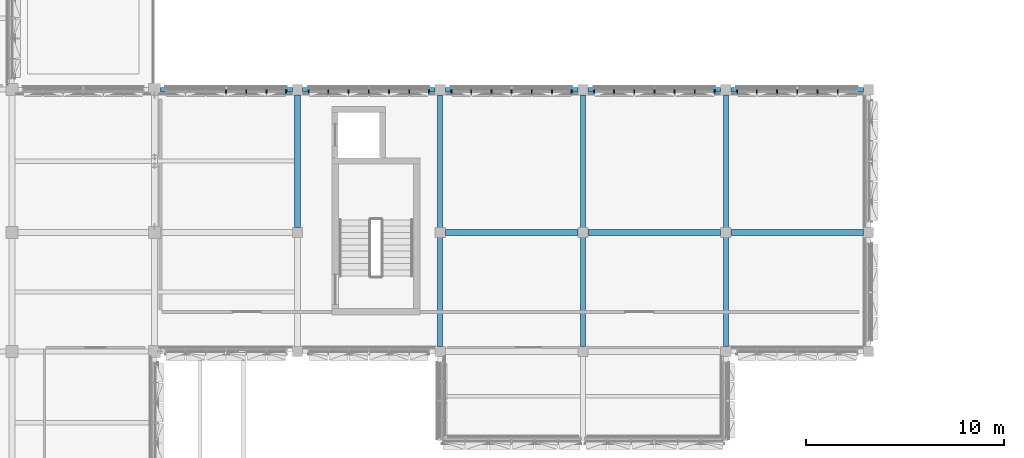
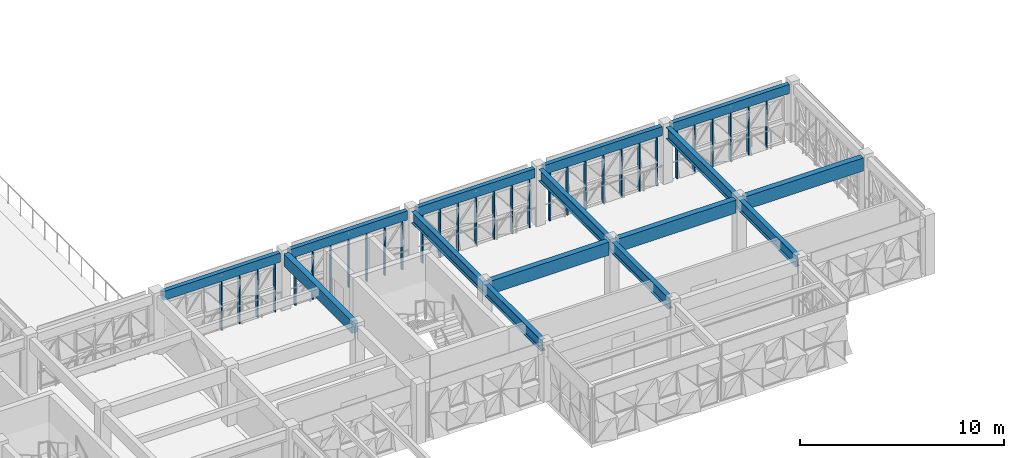
# One storey, part 10 of 99: 31 members, 12 beams, 5 elements without a shape of their own.
"""IFC4 building model written with IfcOpenShell, lengths in metres."""

from ifc_helpers import new_model, si_unit, direction, frame, origin, origin_2d, place, context, subcontext, project, spatial, rectangle, i_section, extrude, material, material_profile, profile_set, type_object, element, aggregate, save


model = new_model("IFC4")

# Units and contexts
model_context = context("Model", 3, precision=1e-05, world=origin(), true_north=direction((0.0, 1.0)))
body_context = subcontext(model_context, "Body", "Model", "MODEL_VIEW")
ifc_project = project(units=[si_unit("LENGTHUNIT", "METRE"), si_unit("AREAUNIT", "SQUARE_METRE"), si_unit("VOLUMEUNIT", "CUBIC_METRE"), si_unit("PLANEANGLEUNIT", "RADIAN"), si_unit("MASSUNIT", "GRAM", prefix="KILO")], contexts=[model_context])

# Site, building, storey
site_placement = place(None, origin())
site = spatial("IfcSite", under=ifc_project, at=site_placement, CompositionType="ELEMENT")
building_placement = place(site_placement, origin())
building = spatial("IfcBuilding", under=site, at=building_placement, Name="Alvorim Cloister Faculty of Sciences", CompositionType="ELEMENT")
storey_placement = place(building_placement, frame((0.0, 0.0, 12.14990234375)))
storey = spatial("IfcBuildingStorey", under=building, at=storey_placement, Name="L03", CompositionType="ELEMENT", Elevation=12.14990234375)

# Beams
ifc_material_1 = material(Name="Glulam GL32h", Category="wood")
ifc_material_profile_1 = material_profile(ifc_material_1, rectangle(XDim=0.300048828125, YDim=0.719970703125, at=origin_2d()), Name="GL32-BM-300x720")
ifc_profile_set_1 = profile_set([ifc_material_profile_1], Name="Glulam GL32h")
beam_type_1 = type_object("IfcBeamType", Name="BM-GL-300x720", PredefinedType="BEAM", material=ifc_profile_set_1)
beam_1_placement = place(storey_placement, frame((36.0, 49.4599609375, 3.030029296875), z_axis=(0.0, 1.0, 0.0), x_axis=(-1.0, 0.0, 0.0)))
element("IfcBeam", 1, at=beam_1_placement, inside=storey, type_object=beam_type_1, Name="L03 Primary Girder BM-1645", PredefinedType="BEAM", context=body_context, shape_type="SweptSolid", body=[
    extrude(rectangle(XDim=0.300048828125, YDim=0.719970703125, at=origin_2d()), origin(), (0.0, 0.0, 1.0), 6.679931640625),
])
ifc_material_profile_2 = material_profile(ifc_material_1, rectangle(XDim=0.320068359375, YDim=0.780029296875, at=origin_2d()), Name="GL32-BM-320x780")
ifc_profile_set_2 = profile_set([ifc_material_profile_2], Name="Glulam GL32h")
beam_type_2 = type_object("IfcBeamType", Name="BM-GL-320x780", PredefinedType="BEAM", material=ifc_profile_set_2)
beam_2_placement = place(storey_placement, frame((43.4599609375, 49.199951171875, 3.0), z_axis=(1.0, 0.0, 0.0), x_axis=(0.0, 1.0, 0.0)))
element("IfcBeam", 2, at=beam_2_placement, inside=storey, type_object=beam_type_2, Name="L03 Primary Beam BM-1544", PredefinedType="BEAM", context=body_context, shape_type="SweptSolid", body=[
    extrude(rectangle(XDim=0.320068359375, YDim=0.780029296875, at=origin_2d()), origin(), (0.0, 0.0, 1.0), 6.679931640625),
])
beam_3_placement = place(storey_placement, frame((50.659912109375, 49.199951171875, 3.0), z_axis=(1.0, 0.0, 0.0), x_axis=(0.0, 1.0, 0.0)))
element("IfcBeam", 3, at=beam_3_placement, inside=storey, type_object=beam_type_2, Name="L03 Primary Beam BM-1545", PredefinedType="BEAM", context=body_context, shape_type="SweptSolid", body=[
    extrude(rectangle(XDim=0.320068359375, YDim=0.780029296875, at=origin_2d()), origin(), (0.0, 0.0, 1.0), 6.68017578125),
])
beam_4_placement = place(storey_placement, frame((57.860107421875, 49.199951171875, 3.0), z_axis=(1.0, 0.0, 0.0), x_axis=(0.0, 1.0, 0.0)))
element("IfcBeam", 4, at=beam_4_placement, inside=storey, type_object=beam_type_2, Name="L03 Primary Beam BM-1546", PredefinedType="BEAM", context=body_context, shape_type="SweptSolid", body=[
    extrude(rectangle(XDim=0.320068359375, YDim=0.780029296875, at=origin_2d()), origin(), (0.0, 0.0, 1.0), 6.679931640625),
])
ifc_material_2 = material(Name="Glulam GL28h", Category="wood")
ifc_material_profile_3 = material_profile(ifc_material_2, rectangle(XDim=0.239990234375, YDim=0.5400390625, at=origin_2d()), Name="GL28-SPD-240x540")
ifc_profile_set_3 = profile_set([ifc_material_profile_3], Name="Glulam GL28h")
beam_type_3 = type_object("IfcBeamType", Name="BM-SPD-GL-240x540", PredefinedType="SPANDREL", material=ifc_profile_set_3)
beam_5_placement = place(storey_placement, frame((29.10009765625, 56.39990234375, 3.1201171875), z_axis=(1.0, 0.0, 0.0), x_axis=(0.0, 1.0, 0.0)))
element("IfcBeam", 5, at=beam_5_placement, inside=storey, type_object=beam_type_3, Name="L03 Primary Beam BM-1548", PredefinedType="SPANDREL", context=body_context, shape_type="SweptSolid", body=[
    extrude(rectangle(XDim=0.239990234375, YDim=0.5400390625, at=origin_2d()), origin(), (0.0, 0.0, 1.0), 6.639892578125),
])
for number, where, z_axis, x_axis, name in (
    (6, (36.260009765625, 56.39990234375, 3.1201171875), (1.0, 0.0, 0.0), (0.0, 1.0, 0.0), "L03 Primary Beam BM-1549"),
    (7, (43.4599609375, 56.39990234375, 3.1201171875), (1.0, 0.0, 0.0), (0.0, 1.0, 0.0), "L03 Primary Beam BM-1550"),
):
    element("IfcBeam", number, at=place(storey_placement, frame(where, z_axis=z_axis, x_axis=x_axis)), inside=storey, type_object=beam_type_3, Name=name, PredefinedType="SPANDREL", context=body_context, shape_type="SweptSolid", body=[
        extrude(rectangle(XDim=0.239990234375, YDim=0.5400390625, at=origin_2d()), origin(), (0.0, 0.0, 1.0), 6.679931640625),
    ])
beam_6_placement = place(storey_placement, frame((50.659912109375, 56.39990234375, 3.1201171875), z_axis=(1.0, 0.0, 0.0), x_axis=(0.0, 1.0, 0.0)))
element("IfcBeam", 8, at=beam_6_placement, inside=storey, type_object=beam_type_3, Name="L03 Primary Beam BM-1551", PredefinedType="SPANDREL", context=body_context, shape_type="SweptSolid", body=[
    extrude(rectangle(XDim=0.239990234375, YDim=0.5400390625, at=origin_2d()), origin(), (0.0, 0.0, 1.0), 6.68017578125),
])
beam_7_placement = place(storey_placement, frame((57.860107421875, 56.39990234375, 3.1201171875), z_axis=(1.0, 0.0, 0.0), x_axis=(0.0, 1.0, 0.0)))
element("IfcBeam", 9, at=beam_7_placement, inside=storey, type_object=beam_type_3, Name="L03 Primary Beam BM-1552", PredefinedType="SPANDREL", context=body_context, shape_type="SweptSolid", body=[
    extrude(rectangle(XDim=0.239990234375, YDim=0.5400390625, at=origin_2d()), origin(), (0.0, 0.0, 1.0), 6.679931640625),
])
ifc_material_3 = material(Name="Steel ASTM A572 Grade 50", Category="steel")
ifc_material_profile_4 = material_profile(ifc_material_3, i_section(OverallWidth=0.25390625, OverallDepth=0.68408203125, WebThickness=0.012451171875, FlangeThickness=0.01904296875, FilletRadius=0.01904296875, at=origin_2d()), Name="W690x140.0")
ifc_profile_set_4 = profile_set([ifc_material_profile_4], Name="Steel ASTM A572 Grade 50")
beam_type_4 = type_object("IfcBeamType", Name="BM-STL-W690", PredefinedType="BEAM", material=ifc_profile_set_4)
for number, where, z_axis, x_axis, name in (
    (10, (43.199951171875, 43.4599609375, 3.048095703125), (0.0, 1.0, 0.0), (-1.0, 0.0, 0.0), "L03 Cantilever Backspan Girder BM-0051"),
    (11, (50.39990234375, 43.4599609375, 3.048095703125), (0.0, 1.0, 0.0), (-1.0, 0.0, 0.0), "L03 Cantilever Backspan Girder BM-0053"),
    (12, (57.60009765625, 43.4599609375, 3.048095703125), (0.0, 1.0, 0.0), (-1.0, 0.0, 0.0), "L03 Cantilever Backspan Girder BM-0055"),
):
    element("IfcBeam", number, at=place(storey_placement, frame(where, z_axis=z_axis, x_axis=x_axis)), inside=storey, type_object=beam_type_4, Name=name, PredefinedType="BEAM", context=body_context, shape_type="SweptSolid", body=[
        extrude(i_section(OverallWidth=0.25390625, OverallDepth=0.68408203125, WebThickness=0.012451171875, FlangeThickness=0.01904296875, FilletRadius=0.01904296875, at=origin_2d()), origin(), (0.0, 0.0, 1.0), 12.679931640625),
    ])

# Curtain wall, members
ifc_material_4 = material(Name="Aluminium and Low-E Glass Curtain Wall", Category="aluminium")
curtain_wall_type = type_object("IfcCurtainWallType", Name="CW-TRI-6120x2850", PredefinedType="USERDEFINED", material=ifc_material_4)
curtain_wall_1_placement = place(storey_placement, origin())
curtain_wall_1 = element("IfcCurtainWall", 13, at=curtain_wall_1_placement, inside=storey, type_object=curtain_wall_type, Name="L03 Diagonal Cassette Curtain Wall CW-0125", ObjectType="UNITISED CURTAIN WALL", PredefinedType="USERDEFINED")
ifc_material_5 = material(Name="Aluminium Alloy 6063-T6", Category="aluminium")
ifc_material_profile_5 = material_profile(ifc_material_5, rectangle(XDim=0.06494140625, YDim=0.179931640625, at=origin_2d()), Name="ALU-MUL-65x180")
ifc_profile_set_5 = profile_set([ifc_material_profile_5], Name="Aluminium Alloy 6063-T6")
member_type = type_object("IfcMemberType", Name="CW-MUL-65x180", PredefinedType="MULLION", material=ifc_profile_set_5)
member_1_placement = place(storey_placement, frame((32.39990234375, 56.31005859375, 0.0), z_axis=(0.0, 0.0, 1.0), x_axis=(1.0, 0.0, 0.0)))
member_1 = element("IfcMember", 14, at=member_1_placement, type_object=member_type, Name="CW-0125 Mullion 4", PredefinedType="MULLION", context=body_context, shape_type="SweptSolid", body=[
    extrude(rectangle(XDim=0.06494140625, YDim=0.179931640625, at=origin_2d()), origin(), (0.0, 0.0, 1.0), 2.85009765625),
])
member_2_placement = place(storey_placement, frame((33.419921875, 56.31005859375, 0.0), z_axis=(0.0, 0.0, 1.0), x_axis=(1.0, 0.0, 0.0)))
member_2 = element("IfcMember", 15, at=member_2_placement, type_object=member_type, Name="CW-0125 Mullion 5", PredefinedType="MULLION", context=body_context, shape_type="SweptSolid", body=[
    extrude(rectangle(XDim=0.06494140625, YDim=0.179931640625, at=origin_2d()), origin(), (0.0, 0.0, 1.0), 2.85009765625),
])
member_3_placement = place(storey_placement, frame((34.43994140625, 56.31005859375, 0.0), z_axis=(0.0, 0.0, 1.0), x_axis=(1.0, 0.0, 0.0)))
member_3 = element("IfcMember", 16, at=member_3_placement, type_object=member_type, Name="CW-0125 Mullion 6", PredefinedType="MULLION", context=body_context, shape_type="SweptSolid", body=[
    extrude(rectangle(XDim=0.06494140625, YDim=0.179931640625, at=origin_2d()), origin(), (0.0, 0.0, 1.0), 2.85009765625),
])
member_4_placement = place(storey_placement, frame((35.427490234375, 56.31005859375, 0.0), z_axis=(0.0, 0.0, 1.0), x_axis=(1.0, 0.0, 0.0)))
member_4 = element("IfcMember", 17, at=member_4_placement, type_object=member_type, Name="CW-0125 Mullion 7", PredefinedType="MULLION", context=body_context, shape_type="SweptSolid", body=[
    extrude(rectangle(XDim=0.06494140625, YDim=0.179931640625, at=origin_2d()), origin(), (0.0, 0.0, 1.0), 2.85009765625),
])
aggregate(curtain_wall_1, [member_1, member_2, member_3, member_4])

curtain_wall_2_placement = place(storey_placement, origin())
curtain_wall_2 = element("IfcCurtainWall", 18, at=curtain_wall_2_placement, inside=storey, type_object=curtain_wall_type, Name="L03 Diagonal Cassette Curtain Wall CW-0126", ObjectType="UNITISED CURTAIN WALL", PredefinedType="USERDEFINED")
member_5_placement = place(storey_placement, frame((36.572509765625, 56.31005859375, 0.0), z_axis=(0.0, 0.0, 1.0), x_axis=(1.0, 0.0, 0.0)))
member_5 = element("IfcMember", 19, at=member_5_placement, type_object=member_type, Name="CW-0126 Mullion 1", PredefinedType="MULLION", context=body_context, shape_type="SweptSolid", body=[
    extrude(rectangle(XDim=0.06494140625, YDim=0.179931640625, at=origin_2d()), origin(), (0.0, 0.0, 1.0), 2.85009765625),
])
member_6_placement = place(storey_placement, frame((37.56005859375, 56.31005859375, 0.0), z_axis=(0.0, 0.0, 1.0), x_axis=(1.0, 0.0, 0.0)))
member_6 = element("IfcMember", 20, at=member_6_placement, type_object=member_type, Name="CW-0126 Mullion 2", PredefinedType="MULLION", context=body_context, shape_type="SweptSolid", body=[
    extrude(rectangle(XDim=0.06494140625, YDim=0.179931640625, at=origin_2d()), origin(), (0.0, 0.0, 1.0), 2.85009765625),
])
member_7_placement = place(storey_placement, frame((38.580078125, 56.31005859375, 0.0), z_axis=(0.0, 0.0, 1.0), x_axis=(1.0, 0.0, 0.0)))
member_7 = element("IfcMember", 21, at=member_7_placement, type_object=member_type, Name="CW-0126 Mullion 3", PredefinedType="MULLION", context=body_context, shape_type="SweptSolid", body=[
    extrude(rectangle(XDim=0.06494140625, YDim=0.179931640625, at=origin_2d()), origin(), (0.0, 0.0, 1.0), 2.85009765625),
])
member_8_placement = place(storey_placement, frame((39.60009765625, 56.31005859375, 0.0), z_axis=(0.0, 0.0, 1.0), x_axis=(1.0, 0.0, 0.0)))
member_8 = element("IfcMember", 22, at=member_8_placement, type_object=member_type, Name="CW-0126 Mullion 4", PredefinedType="MULLION", context=body_context, shape_type="SweptSolid", body=[
    extrude(rectangle(XDim=0.06494140625, YDim=0.179931640625, at=origin_2d()), origin(), (0.0, 0.0, 1.0), 2.85009765625),
])
member_9_placement = place(storey_placement, frame((40.6201171875, 56.31005859375, 0.0), z_axis=(0.0, 0.0, 1.0), x_axis=(1.0, 0.0, 0.0)))
member_9 = element("IfcMember", 23, at=member_9_placement, type_object=member_type, Name="CW-0126 Mullion 5", PredefinedType="MULLION", context=body_context, shape_type="SweptSolid", body=[
    extrude(rectangle(XDim=0.06494140625, YDim=0.179931640625, at=origin_2d()), origin(), (0.0, 0.0, 1.0), 2.85009765625),
])
member_10_placement = place(storey_placement, frame((41.639892578125, 56.31005859375, 0.0), z_axis=(0.0, 0.0, 1.0), x_axis=(1.0, 0.0, 0.0)))
member_10 = element("IfcMember", 24, at=member_10_placement, type_object=member_type, Name="CW-0126 Mullion 6", PredefinedType="MULLION", context=body_context, shape_type="SweptSolid", body=[
    extrude(rectangle(XDim=0.06494140625, YDim=0.179931640625, at=origin_2d()), origin(), (0.0, 0.0, 1.0), 2.85009765625),
])
member_11_placement = place(storey_placement, frame((42.62744140625, 56.31005859375, 0.0), z_axis=(0.0, 0.0, 1.0), x_axis=(1.0, 0.0, 0.0)))
member_11 = element("IfcMember", 25, at=member_11_placement, type_object=member_type, Name="CW-0126 Mullion 7", PredefinedType="MULLION", context=body_context, shape_type="SweptSolid", body=[
    extrude(rectangle(XDim=0.06494140625, YDim=0.179931640625, at=origin_2d()), origin(), (0.0, 0.0, 1.0), 2.85009765625),
])
aggregate(curtain_wall_2, [member_5, member_6, member_7, member_8, member_9, member_10, member_11])

curtain_wall_3_placement = place(storey_placement, origin())
curtain_wall_3 = element("IfcCurtainWall", 26, at=curtain_wall_3_placement, inside=storey, type_object=curtain_wall_type, Name="L03 Diagonal Cassette Curtain Wall CW-0127", ObjectType="UNITISED CURTAIN WALL", PredefinedType="USERDEFINED")
member_12_placement = place(storey_placement, frame((43.7724609375, 56.31005859375, 0.0), z_axis=(0.0, 0.0, 1.0), x_axis=(1.0, 0.0, 0.0)))
member_12 = element("IfcMember", 27, at=member_12_placement, type_object=member_type, Name="CW-0127 Mullion 1", PredefinedType="MULLION", context=body_context, shape_type="SweptSolid", body=[
    extrude(rectangle(XDim=0.06494140625, YDim=0.179931640625, at=origin_2d()), origin(), (0.0, 0.0, 1.0), 2.85009765625),
])
member_13_placement = place(storey_placement, frame((44.760009765625, 56.31005859375, 0.0), z_axis=(0.0, 0.0, 1.0), x_axis=(1.0, 0.0, 0.0)))
member_13 = element("IfcMember", 28, at=member_13_placement, type_object=member_type, Name="CW-0127 Mullion 2", PredefinedType="MULLION", context=body_context, shape_type="SweptSolid", body=[
    extrude(rectangle(XDim=0.06494140625, YDim=0.179931640625, at=origin_2d()), origin(), (0.0, 0.0, 1.0), 2.85009765625),
])
member_14_placement = place(storey_placement, frame((45.780029296875, 56.31005859375, 0.0), z_axis=(0.0, 0.0, 1.0), x_axis=(1.0, 0.0, 0.0)))
member_14 = element("IfcMember", 29, at=member_14_placement, type_object=member_type, Name="CW-0127 Mullion 3", PredefinedType="MULLION", context=body_context, shape_type="SweptSolid", body=[
    extrude(rectangle(XDim=0.06494140625, YDim=0.179931640625, at=origin_2d()), origin(), (0.0, 0.0, 1.0), 2.85009765625),
])
member_15_placement = place(storey_placement, frame((46.800048828125, 56.31005859375, 0.0), z_axis=(0.0, 0.0, 1.0), x_axis=(1.0, 0.0, 0.0)))
member_15 = element("IfcMember", 30, at=member_15_placement, type_object=member_type, Name="CW-0127 Mullion 4", PredefinedType="MULLION", context=body_context, shape_type="SweptSolid", body=[
    extrude(rectangle(XDim=0.06494140625, YDim=0.179931640625, at=origin_2d()), origin(), (0.0, 0.0, 1.0), 2.85009765625),
])
member_16_placement = place(storey_placement, frame((47.820068359375, 56.31005859375, 0.0), z_axis=(0.0, 0.0, 1.0), x_axis=(1.0, 0.0, 0.0)))
member_16 = element("IfcMember", 31, at=member_16_placement, type_object=member_type, Name="CW-0127 Mullion 5", PredefinedType="MULLION", context=body_context, shape_type="SweptSolid", body=[
    extrude(rectangle(XDim=0.06494140625, YDim=0.179931640625, at=origin_2d()), origin(), (0.0, 0.0, 1.0), 2.85009765625),
])
member_17_placement = place(storey_placement, frame((48.840087890625, 56.31005859375, 0.0), z_axis=(0.0, 0.0, 1.0), x_axis=(1.0, 0.0, 0.0)))
member_17 = element("IfcMember", 32, at=member_17_placement, type_object=member_type, Name="CW-0127 Mullion 6", PredefinedType="MULLION", context=body_context, shape_type="SweptSolid", body=[
    extrude(rectangle(XDim=0.06494140625, YDim=0.179931640625, at=origin_2d()), origin(), (0.0, 0.0, 1.0), 2.85009765625),
])
member_18_placement = place(storey_placement, frame((49.827392578125, 56.31005859375, 0.0), z_axis=(0.0, 0.0, 1.0), x_axis=(1.0, 0.0, 0.0)))
member_18 = element("IfcMember", 33, at=member_18_placement, type_object=member_type, Name="CW-0127 Mullion 7", PredefinedType="MULLION", context=body_context, shape_type="SweptSolid", body=[
    extrude(rectangle(XDim=0.06494140625, YDim=0.179931640625, at=origin_2d()), origin(), (0.0, 0.0, 1.0), 2.85009765625),
])
aggregate(curtain_wall_3, [member_12, member_13, member_14, member_15, member_16, member_17, member_18])

curtain_wall_4_placement = place(storey_placement, origin())
curtain_wall_4 = element("IfcCurtainWall", 34, at=curtain_wall_4_placement, inside=storey, type_object=curtain_wall_type, Name="L03 Diagonal Cassette Curtain Wall CW-0128", ObjectType="UNITISED CURTAIN WALL", PredefinedType="USERDEFINED")
member_19_placement = place(storey_placement, frame((50.972412109375, 56.31005859375, 0.0), z_axis=(0.0, 0.0, 1.0), x_axis=(1.0, 0.0, 0.0)))
member_19 = element("IfcMember", 35, at=member_19_placement, type_object=member_type, Name="CW-0128 Mullion 1", PredefinedType="MULLION", context=body_context, shape_type="SweptSolid", body=[
    extrude(rectangle(XDim=0.06494140625, YDim=0.179931640625, at=origin_2d()), origin(), (0.0, 0.0, 1.0), 2.85009765625),
])
member_20_placement = place(storey_placement, frame((51.9599609375, 56.31005859375, 0.0), z_axis=(0.0, 0.0, 1.0), x_axis=(1.0, 0.0, 0.0)))
member_20 = element("IfcMember", 36, at=member_20_placement, type_object=member_type, Name="CW-0128 Mullion 2", PredefinedType="MULLION", context=body_context, shape_type="SweptSolid", body=[
    extrude(rectangle(XDim=0.06494140625, YDim=0.179931640625, at=origin_2d()), origin(), (0.0, 0.0, 1.0), 2.85009765625),
])
member_21_placement = place(storey_placement, frame((52.97998046875, 56.31005859375, 0.0), z_axis=(0.0, 0.0, 1.0), x_axis=(1.0, 0.0, 0.0)))
member_21 = element("IfcMember", 37, at=member_21_placement, type_object=member_type, Name="CW-0128 Mullion 3", PredefinedType="MULLION", context=body_context, shape_type="SweptSolid", body=[
    extrude(rectangle(XDim=0.06494140625, YDim=0.179931640625, at=origin_2d()), origin(), (0.0, 0.0, 1.0), 2.85009765625),
])
member_22_placement = place(storey_placement, frame((54.0, 56.31005859375, 0.0), z_axis=(0.0, 0.0, 1.0), x_axis=(1.0, 0.0, 0.0)))
member_22 = element("IfcMember", 38, at=member_22_placement, type_object=member_type, Name="CW-0128 Mullion 4", PredefinedType="MULLION", context=body_context, shape_type="SweptSolid", body=[
    extrude(rectangle(XDim=0.06494140625, YDim=0.179931640625, at=origin_2d()), origin(), (0.0, 0.0, 1.0), 2.85009765625),
])
member_23_placement = place(storey_placement, frame((55.02001953125, 56.31005859375, 0.0), z_axis=(0.0, 0.0, 1.0), x_axis=(1.0, 0.0, 0.0)))
member_23 = element("IfcMember", 39, at=member_23_placement, type_object=member_type, Name="CW-0128 Mullion 5", PredefinedType="MULLION", context=body_context, shape_type="SweptSolid", body=[
    extrude(rectangle(XDim=0.06494140625, YDim=0.179931640625, at=origin_2d()), origin(), (0.0, 0.0, 1.0), 2.85009765625),
])
member_24_placement = place(storey_placement, frame((56.0400390625, 56.31005859375, 0.0), z_axis=(0.0, 0.0, 1.0), x_axis=(1.0, 0.0, 0.0)))
member_24 = element("IfcMember", 40, at=member_24_placement, type_object=member_type, Name="CW-0128 Mullion 6", PredefinedType="MULLION", context=body_context, shape_type="SweptSolid", body=[
    extrude(rectangle(XDim=0.06494140625, YDim=0.179931640625, at=origin_2d()), origin(), (0.0, 0.0, 1.0), 2.85009765625),
])
member_25_placement = place(storey_placement, frame((57.027587890625, 56.31005859375, 0.0), z_axis=(0.0, 0.0, 1.0), x_axis=(1.0, 0.0, 0.0)))
member_25 = element("IfcMember", 41, at=member_25_placement, type_object=member_type, Name="CW-0128 Mullion 7", PredefinedType="MULLION", context=body_context, shape_type="SweptSolid", body=[
    extrude(rectangle(XDim=0.06494140625, YDim=0.179931640625, at=origin_2d()), origin(), (0.0, 0.0, 1.0), 2.85009765625),
])
aggregate(curtain_wall_4, [member_19, member_20, member_21, member_22, member_23, member_24, member_25])

curtain_wall_5_placement = place(storey_placement, origin())
curtain_wall_5 = element("IfcCurtainWall", 42, at=curtain_wall_5_placement, inside=storey, type_object=curtain_wall_type, Name="L03 Diagonal Cassette Curtain Wall CW-0129", ObjectType="UNITISED CURTAIN WALL", PredefinedType="USERDEFINED")
member_26_placement = place(storey_placement, frame((58.172607421875, 56.31005859375, 0.0), z_axis=(0.0, 0.0, 1.0), x_axis=(1.0, 0.0, 0.0)))
member_26 = element("IfcMember", 43, at=member_26_placement, type_object=member_type, Name="CW-0129 Mullion 1", PredefinedType="MULLION", context=body_context, shape_type="SweptSolid", body=[
    extrude(rectangle(XDim=0.06494140625, YDim=0.179931640625, at=origin_2d()), origin(), (0.0, 0.0, 1.0), 2.85009765625),
])
member_27_placement = place(storey_placement, frame((59.159912109375, 56.31005859375, 0.0), z_axis=(0.0, 0.0, 1.0), x_axis=(1.0, 0.0, 0.0)))
member_27 = element("IfcMember", 44, at=member_27_placement, type_object=member_type, Name="CW-0129 Mullion 2", PredefinedType="MULLION", context=body_context, shape_type="SweptSolid", body=[
    extrude(rectangle(XDim=0.06494140625, YDim=0.179931640625, at=origin_2d()), origin(), (0.0, 0.0, 1.0), 2.85009765625),
])
member_28_placement = place(storey_placement, frame((60.179931640625, 56.31005859375, 0.0), z_axis=(0.0, 0.0, 1.0), x_axis=(1.0, 0.0, 0.0)))
member_28 = element("IfcMember", 45, at=member_28_placement, type_object=member_type, Name="CW-0129 Mullion 3", PredefinedType="MULLION", context=body_context, shape_type="SweptSolid", body=[
    extrude(rectangle(XDim=0.06494140625, YDim=0.179931640625, at=origin_2d()), origin(), (0.0, 0.0, 1.0), 2.85009765625),
])
member_29_placement = place(storey_placement, frame((61.199951171875, 56.31005859375, 0.0), z_axis=(0.0, 0.0, 1.0), x_axis=(1.0, 0.0, 0.0)))
member_29 = element("IfcMember", 46, at=member_29_placement, type_object=member_type, Name="CW-0129 Mullion 4", PredefinedType="MULLION", context=body_context, shape_type="SweptSolid", body=[
    extrude(rectangle(XDim=0.06494140625, YDim=0.179931640625, at=origin_2d()), origin(), (0.0, 0.0, 1.0), 2.85009765625),
])
member_30_placement = place(storey_placement, frame((62.219970703125, 56.31005859375, 0.0), z_axis=(0.0, 0.0, 1.0), x_axis=(1.0, 0.0, 0.0)))
member_30 = element("IfcMember", 47, at=member_30_placement, type_object=member_type, Name="CW-0129 Mullion 5", PredefinedType="MULLION", context=body_context, shape_type="SweptSolid", body=[
    extrude(rectangle(XDim=0.06494140625, YDim=0.179931640625, at=origin_2d()), origin(), (0.0, 0.0, 1.0), 2.85009765625),
])
member_31_placement = place(storey_placement, frame((63.239990234375, 56.31005859375, 0.0), z_axis=(0.0, 0.0, 1.0), x_axis=(1.0, 0.0, 0.0)))
member_31 = element("IfcMember", 48, at=member_31_placement, type_object=member_type, Name="CW-0129 Mullion 6", PredefinedType="MULLION", context=body_context, shape_type="SweptSolid", body=[
    extrude(rectangle(XDim=0.06494140625, YDim=0.179931640625, at=origin_2d()), origin(), (0.0, 0.0, 1.0), 2.85009765625),
])
aggregate(curtain_wall_5, [member_26, member_27, member_28, member_29, member_30, member_31])

save(model, "model.ifc")
